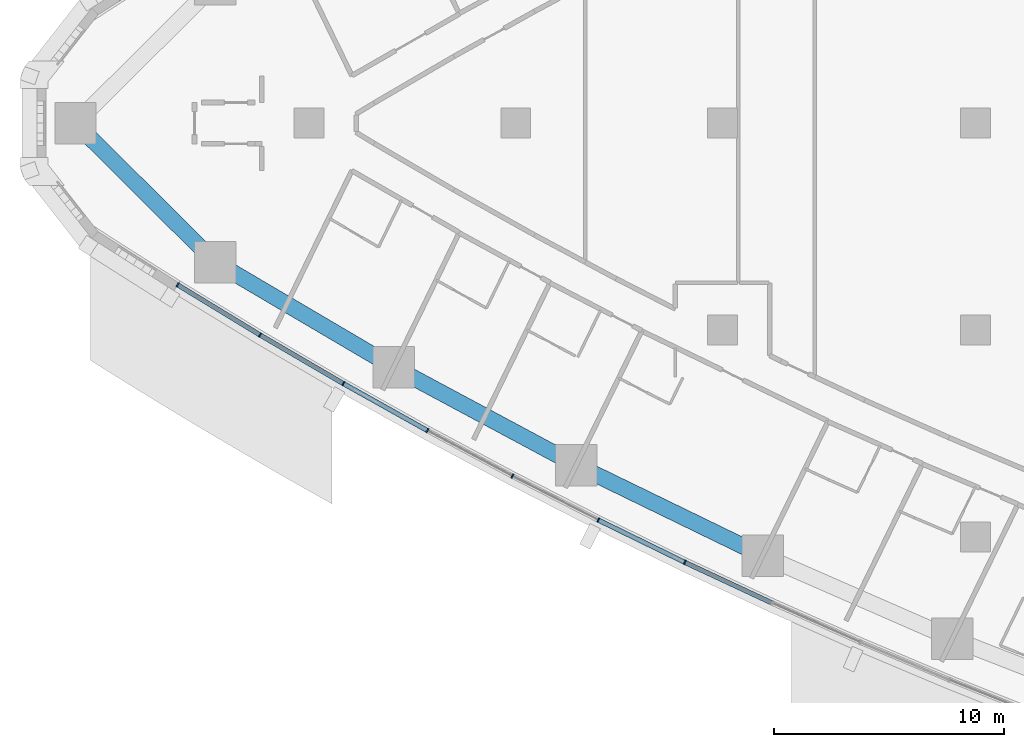
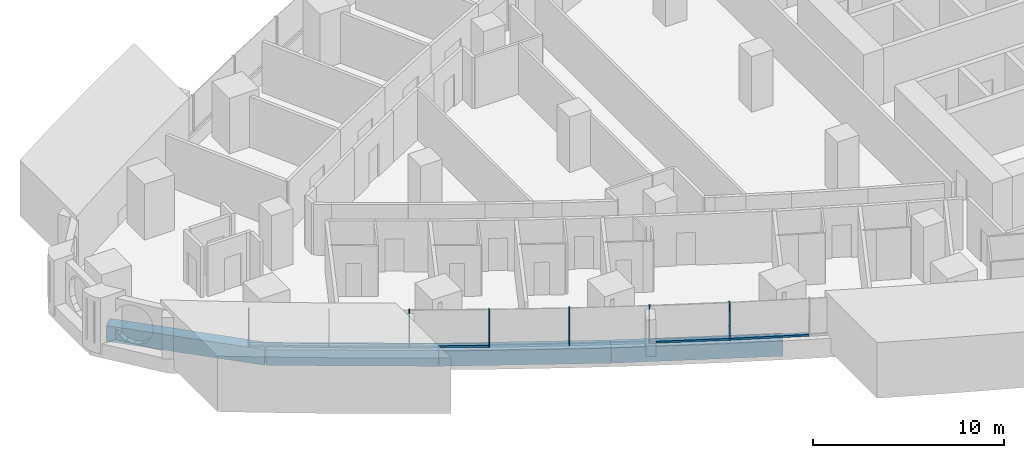
# One storey, part 2 of 19: 12 members, 4 beams, 3 elements without a shape of their own.
"""IFC4 building model written with IfcOpenShell, lengths in metres."""

import ifcopenshell
import ifcopenshell.guid

model = None  # the IFC model being written
_history = None  # IfcOwnerHistory: only IFC2X3 demands one
_inside = {}  # id of a spatial element -> (the spatial element, [elements in it])
_under = {}  # id of a project, library or spatial element -> (it, [spatial elements below it])
_declared = {}  # id of a project -> (the project, [libraries it declares])
_typed = {}  # id of a type object -> (the type object, [elements of that type])
_made_of = {}  # id of a material, layer set ... -> (it, [elements and type objects made of it])


def new_model(schema):
    """Start an empty IFC model of exactly this schema.

    Asked for "IFC4X3", IfcOpenShell would pick the latest addendum, in which some entities
    have other attributes; the version numbers below select the first issue.
    IFC2X3 requires an IfcOwnerHistory on every rooted entity: one is made here for all.
    """
    global model, _history
    if schema == "IFC4X3":
        model = ifcopenshell.file(schema_version=(4, 3, 0, 0))
    else:
        model = ifcopenshell.file(schema=schema)
    _inside.clear()
    _under.clear()
    _declared.clear()
    _typed.clear()
    _made_of.clear()
    _history = None
    if model.schema == "IFC2X3":
        org = make("IfcOrganization", Name="unknown")
        user = make(
            "IfcPersonAndOrganization",
            ThePerson=make("IfcPerson", FamilyName="unknown"),
            TheOrganization=org,
        )
        app = make(
            "IfcApplication",
            ApplicationDeveloper=org,
            Version="unknown",
            ApplicationFullName="unknown",
            ApplicationIdentifier="unknown",
        )
        _history = make(
            "IfcOwnerHistory",
            OwningUser=user,
            OwningApplication=app,
            ChangeAction="ADDED",
            CreationDate=0,
        )
    return model


def make(cls, **values):
    """One entity of the class cls with the attributes given. An attribute that is None is left unset."""
    return model.create_entity(
        cls, **{name: value for name, value in values.items() if value is not None}
    )


def rooted(cls, **values):
    """An entity with a GlobalId (a new one), such as an element, a storey or a relation."""
    return make(cls, GlobalId=ifcopenshell.guid.new(), OwnerHistory=_history, **values)


def si_unit(unit_type, name, prefix=None):
    """IfcSIUnit, for example si_unit("LENGTHUNIT", "METRE", prefix="MILLI")."""
    return make("IfcSIUnit", UnitType=unit_type, Prefix=prefix, Name=name)


def assignment(units):
    """IfcUnitAssignment: the units of a project."""
    return None if units is None else make("IfcUnitAssignment", Units=units)


def point(xyz):
    """IfcCartesianPoint."""
    return None if xyz is None else make("IfcCartesianPoint", Coordinates=xyz)


def direction(xyz):
    """IfcDirection."""
    return None if xyz is None else make("IfcDirection", DirectionRatios=xyz)


def frame(location, z_axis=None, x_axis=None):
    """IfcAxis2Placement3D, a coordinate frame: its origin and axes. An axis left out is left unset."""
    return make(
        "IfcAxis2Placement3D",
        Location=point(location),
        Axis=direction(z_axis),
        RefDirection=direction(x_axis),
    )


def frame_2d(location, x_axis=None):
    """IfcAxis2Placement2D, a coordinate frame in the plane: its origin and x axis."""
    return make(
        "IfcAxis2Placement2D", Location=point(location), RefDirection=direction(x_axis)
    )


def origin():
    """The frame at (0, 0, 0) with its axes left unset."""
    return frame((0.0, 0.0, 0.0))


def origin_2d():
    """The frame at (0, 0) in the plane with its x axis left unset."""
    return frame_2d((0.0, 0.0))


def place(relative_to, where):
    """IfcLocalPlacement: puts the frame where relative to a parent placement (None: the world)."""
    return make(
        "IfcLocalPlacement", PlacementRelTo=relative_to, RelativePlacement=where
    )


def context(
    kind, dimensions, precision=None, world=None, true_north=None, identifier=None
):
    """IfcGeometricRepresentationContext, for example the 3D "Model" context."""
    return make(
        "IfcGeometricRepresentationContext",
        ContextIdentifier=identifier,
        ContextType=kind,
        CoordinateSpaceDimension=dimensions,
        Precision=precision,
        WorldCoordinateSystem=world,
        TrueNorth=true_north,
    )


def subcontext(parent, identifier, kind, view, scale=None):
    """IfcGeometricRepresentationSubContext, for example "Body" below "Model"."""
    return make(
        "IfcGeometricRepresentationSubContext",
        ContextIdentifier=identifier,
        ContextType=kind,
        ParentContext=parent,
        TargetScale=scale,
        TargetView=view,
    )


def project(units=None, contexts=None):
    """IfcProject with its units and contexts."""
    return rooted(
        "IfcProject",
        Name="project",
        RepresentationContexts=contexts,
        UnitsInContext=assignment(units),
    )


def spatial(cls, under=None, at=None, **own):
    """A site, building, storey or space (cls), placed at a placement, below another one or the project."""
    s = rooted(cls, ObjectPlacement=at, **own)
    if under is not None:
        _under.setdefault(under.id(), (under, []))[1].append(s)
    return s


def profile(cls, at=None, kind="AREA", **sizes):
    """A parametric profile (cls). Its sizes go by their IFC names, for example OverallWidth=200.0."""
    return make(cls, ProfileType=kind, Position=at, **sizes)


def rectangle(**sizes):
    """IfcRectangleProfileDef."""
    return profile("IfcRectangleProfileDef", **sizes)


def extrude(swept, where, along, depth):
    """IfcExtrudedAreaSolid: the profile swept, set in the frame where, extruded along a direction by depth."""
    return make(
        "IfcExtrudedAreaSolid",
        SweptArea=swept,
        Position=where,
        ExtrudedDirection=direction(along),
        Depth=depth,
    )


def shape(context_of_items, identifier, shape_type, items):
    """IfcShapeRepresentation: the items that make up one representation, for example the "Body"."""
    return make(
        "IfcShapeRepresentation",
        ContextOfItems=context_of_items,
        RepresentationIdentifier=identifier,
        RepresentationType=shape_type,
        Items=items,
    )


def material(Name=None, Category=None):
    """IfcMaterial."""
    return make("IfcMaterial", Name=Name, Category=Category)


def layer(
    of_material, thickness, ventilated=None, Name=None, Category=None, Priority=None
):
    """IfcMaterialLayer: one layer of a wall or slab, of a material (None: an air gap)."""
    return make(
        "IfcMaterialLayer",
        Material=of_material,
        LayerThickness=thickness,
        IsVentilated=ventilated,
        Name=Name,
        Category=Category,
        Priority=Priority,
    )


def layer_set(layers, Name=None):
    """IfcMaterialLayerSet."""
    return make("IfcMaterialLayerSet", MaterialLayers=layers, LayerSetName=Name)


def material_profile(
    of_material, cross_section, Name=None, Category=None, Priority=None
):
    """IfcMaterialProfile: a cross section and its material."""
    return make(
        "IfcMaterialProfile",
        Name=Name,
        Material=of_material,
        Profile=cross_section,
        Priority=Priority,
        Category=Category,
    )


def profile_set(profiles, Name=None, composite=None):
    """IfcMaterialProfileSet."""
    return make(
        "IfcMaterialProfileSet",
        Name=Name,
        MaterialProfiles=profiles,
        CompositeProfile=composite,
    )


def made_of(thing, what):
    """Note that an element or type object is made of a material, layer set ...; save() writes the relation."""
    if what is not None:
        _made_of.setdefault(what.id(), (what, []))[1].append(thing)
    return thing


def type_object(cls, material=None, **own):
    """A type object (cls), such as IfcWallType, which elements share."""
    return made_of(rooted(cls, **own), material)


def element(
    cls,
    number,
    at=None,
    inside=None,
    cuts=None,
    type_object=None,
    material=None,
    context=None,
    identifier="Body",
    shape_type=None,
    held_by="IfcProductDefinitionShape",
    body=None,
    shapes=None,
    **own,
):
    """One element of the class cls, such as IfcWall. Its Tag is "e" and its number.

    at: its placement. inside: the storey or other place that contains it. cuts: it is an
    opening in that element (IfcRelVoidsElement). A single representation is given by context,
    identifier, shape_type and body (its items); several are given by shapes. held_by: the class
    of the entity that holds the representations. save() writes the other relations.
    """
    e = rooted(cls, Tag="e%d" % number, ObjectPlacement=at, **own)
    if body is not None:
        shapes = [shape(context, identifier, shape_type, body)]
    if shapes is not None:
        e.Representation = make(held_by, Representations=shapes)
    if inside is not None:
        _inside.setdefault(inside.id(), (inside, []))[1].append(e)
    if cuts is not None:
        rooted(
            "IfcRelVoidsElement", RelatingBuildingElement=cuts, RelatedOpeningElement=e
        )
    if type_object is not None:
        _typed.setdefault(type_object.id(), (type_object, []))[1].append(e)
    return made_of(e, material)


def aggregate(whole, parts):
    """IfcRelAggregates: a whole, such as a stair, and the parts it consists of."""
    return rooted("IfcRelAggregates", RelatingObject=whole, RelatedObjects=parts)


def save(model, path):
    """Write the relations noted so far, then the file.

    IfcRelAggregates (storeys below a building ...), IfcRelContainedInSpatialStructure (elements
    in a storey), IfcRelDefinesByType, IfcRelAssociatesMaterial and IfcRelDeclares: one each for
    every whole, place, type object, material and project.
    """
    for whole, parts in _under.values():
        aggregate(whole, parts)
    for where, things in _inside.values():
        rooted(
            "IfcRelContainedInSpatialStructure",
            RelatedElements=things,
            RelatingStructure=where,
        )
    for kind, things in _typed.values():
        rooted("IfcRelDefinesByType", RelatedObjects=things, RelatingType=kind)
    for what, things in _made_of.values():
        rooted("IfcRelAssociatesMaterial", RelatedObjects=things, RelatingMaterial=what)
    for by, libraries in _declared.values():
        rooted("IfcRelDeclares", RelatingContext=by, RelatedDefinitions=libraries)
    model.write(path)


model = new_model("IFC4")

# Units and contexts
model_context = context("Model", 3, precision=1e-05, world=origin(), true_north=direction((0.0, 1.0)))
body_context = subcontext(model_context, "Body", "Model", "MODEL_VIEW")
ifc_project = project(units=[si_unit("LENGTHUNIT", "METRE"), si_unit("AREAUNIT", "SQUARE_METRE"), si_unit("VOLUMEUNIT", "CUBIC_METRE"), si_unit("PLANEANGLEUNIT", "RADIAN"), si_unit("MASSUNIT", "GRAM", prefix="KILO")], contexts=[model_context])

# Site, building, storey
site_placement = place(None, origin())
site = spatial("IfcSite", under=ifc_project, at=site_placement, CompositionType="ELEMENT")
building_placement = place(site_placement, origin())
building = spatial("IfcBuilding", under=site, at=building_placement, Name="Ostrand Prow Hotel Tower", CompositionType="ELEMENT")
storey_placement = place(building_placement, frame((0.0, 0.0, 46.699951171875)))
storey = spatial("IfcBuildingStorey", under=building, at=storey_placement, Name="L09", CompositionType="ELEMENT", Elevation=46.699951171875)

# Beams
ifc_material_1 = material(Name="Concrete C80/95", Category="concrete")
ifc_material_profile_1 = material_profile(ifc_material_1, rectangle(XDim=0.699951171875, YDim=1.0, at=origin_2d()), Name="RC 700x1000")
ifc_profile_set_1 = profile_set([ifc_material_profile_1], Name="Concrete C80/95")
beam_type = type_object("IfcBeamType", Name="Edge beam 700x1000 C80/95", PredefinedType="SPANDREL", material=ifc_profile_set_1)
beam_1_placement = place(storey_placement, frame((5.848388671875, 0.0, -0.800048828125), z_axis=(0.709211674915, -0.70499560294, 0.0), x_axis=(0.70499560294, 0.709211674915, 0.0)))
element("IfcBeam", 1, at=beam_1_placement, inside=storey, type_object=beam_type, Name="Edge beam P-S1", PredefinedType="SPANDREL", context=body_context, shape_type="SweptSolid", body=[
    extrude(rectangle(XDim=0.699951171875, YDim=1.0, at=origin_2d()), origin(), (0.0, 0.0, 1.0), 8.5703125),
])
beam_2_placement = place(storey_placement, frame((11.926513671875, -6.0419921875, -0.800048828125), z_axis=(0.861725230108, -0.507375233722, 0.0), x_axis=(0.507375233722, 0.861725230108, 0.0)))
element("IfcBeam", 2, at=beam_2_placement, inside=storey, type_object=beam_type, Name="Edge beam S1-S2", PredefinedType="SPANDREL", context=body_context, shape_type="SweptSolid", body=[
    extrude(rectangle(XDim=0.699951171875, YDim=1.0, at=origin_2d()), origin(), (0.0, 0.0, 1.0), 9.012451171875),
])
beam_3_placement = place(storey_placement, frame((19.69287109375, -10.61474609375, -0.800048828125), z_axis=(0.881270074696, -0.472613008122, 0.0), x_axis=(0.472613008122, 0.881270074696, 0.0)))
element("IfcBeam", 3, at=beam_3_placement, inside=storey, type_object=beam_type, Name="Edge beam S2-S3", PredefinedType="SPANDREL", context=body_context, shape_type="SweptSolid", body=[
    extrude(rectangle(XDim=0.699951171875, YDim=1.0, at=origin_2d()), origin(), (0.0, 0.0, 1.0), 9.0126953125),
])
beam_4_placement = place(storey_placement, frame((27.635498046875, -14.874267578125, -0.800048828125), z_axis=(0.899382499202, -0.437162578601, 0.0), x_axis=(0.437162578601, 0.899382499202, 0.0)))
element("IfcBeam", 4, at=beam_4_placement, inside=storey, type_object=beam_type, Name="Edge beam S3-S4", PredefinedType="SPANDREL", context=body_context, shape_type="SweptSolid", body=[
    extrude(rectangle(XDim=0.699951171875, YDim=1.0, at=origin_2d()), origin(), (0.0, 0.0, 1.0), 9.012451171875),
])

# Curtain wall, members
ifc_material_2 = material(Name="Insulated glass in bronze anodised frame", Category="glass")
ifc_layer = layer(ifc_material_2, 0.199951171875)
ifc_layer_set = layer_set([ifc_layer], Name="Insulated glass in bronze anodised frame")
curtain_wall_type = type_object("IfcCurtainWallType", Name="Strip curtain wall, fritted glass over bronze spandrel", PredefinedType="NOTDEFINED", material=ifc_layer_set)
curtain_wall_1_placement = place(storey_placement, origin())
curtain_wall_1 = element("IfcCurtainWall", 5, at=curtain_wall_1_placement, inside=storey, type_object=curtain_wall_type, Name="CW1 run CWS1", PredefinedType="NOTDEFINED")
ifc_material_3 = material(Name="Bronze anodised aluminium", Category="aluminium")
ifc_material_profile_2 = material_profile(ifc_material_3, rectangle(XDim=0.199951171875, YDim=0.06005859375, at=origin_2d()), Name="Mullion 60x200 bronze anodised aluminium")
ifc_profile_set_2 = profile_set([ifc_material_profile_2], Name="Bronze anodised aluminium")
member_type_1 = type_object("IfcMemberType", Name="Mullion 60x200 bronze anodised aluminium", PredefinedType="MULLION", material=ifc_profile_set_2)
member_1_placement = place(storey_placement, frame((10.29443359375, -7.031494140625, 0.900146484375), z_axis=(0.0, 0.0, 1.0), x_axis=(0.519830761515, 0.854269266322, 0.0)))
member_1 = element("IfcMember", 6, at=member_1_placement, type_object=member_type_1, Name="CW1 mullion 1", PredefinedType="MULLION", context=body_context, shape_type="SweptSolid", body=[
    extrude(rectangle(XDim=0.199951171875, YDim=0.06005859375, at=origin_2d()), origin(), (0.0, 0.0, 1.0), 2.349853515625),
])
member_2_placement = place(storey_placement, frame((13.87744140625, -9.2119140625, 0.900146484375), z_axis=(0.0, 0.0, 1.0), x_axis=(0.50402272292, 0.863690392896, 0.0)))
member_2 = element("IfcMember", 7, at=member_2_placement, type_object=member_type_1, Name="CW1 mullion 2", PredefinedType="MULLION", context=body_context, shape_type="SweptSolid", body=[
    extrude(rectangle(XDim=0.199951171875, YDim=0.06005859375, at=origin_2d()), origin(), (0.0, 0.0, 1.0), 2.349853515625),
])
member_3_placement = place(storey_placement, frame((17.5, -11.325927734375, 0.900146484375), z_axis=(0.0, 0.0, 1.0), x_axis=(0.50402272292, 0.863690392896, 0.0)))
member_3 = element("IfcMember", 8, at=member_3_placement, type_object=member_type_1, Name="CW1 mullion 3", PredefinedType="MULLION", context=body_context, shape_type="SweptSolid", body=[
    extrude(rectangle(XDim=0.199951171875, YDim=0.06005859375, at=origin_2d()), origin(), (0.0, 0.0, 1.0), 2.349853515625),
])

curtain_wall_2_placement = place(storey_placement, origin())
curtain_wall_2 = element("IfcCurtainWall", 9, at=curtain_wall_2_placement, inside=storey, type_object=curtain_wall_type, Name="CW1 run CWS2", PredefinedType="NOTDEFINED")
member_4_placement = place(storey_placement, frame((21.160888671875, -13.372802734375, 0.900146484375), z_axis=(0.0, 0.0, 1.0), x_axis=(0.471899992481, 0.881652083929, 0.0)))
member_4 = element("IfcMember", 10, at=member_4_placement, type_object=member_type_1, Name="CW1 mullion 2", PredefinedType="MULLION", context=body_context, shape_type="SweptSolid", body=[
    extrude(rectangle(XDim=0.199951171875, YDim=0.06005859375, at=origin_2d()), origin(), (0.0, 0.0, 1.0), 2.349853515625),
])
member_5_placement = place(storey_placement, frame((24.858642578125, -15.35205078125, 0.900146484375), z_axis=(0.0, 0.0, 1.0), x_axis=(0.455596179055, 0.890186565631, 0.0)))
member_5 = element("IfcMember", 11, at=member_5_placement, type_object=member_type_1, Name="CW1 mullion 3", PredefinedType="MULLION", context=body_context, shape_type="SweptSolid", body=[
    extrude(rectangle(XDim=0.199951171875, YDim=0.06005859375, at=origin_2d()), origin(), (0.0, 0.0, 1.0), 2.349853515625),
])
member_6_placement = place(storey_placement, frame((28.59228515625, -17.262939453125, 0.900146484375), z_axis=(0.0, 0.0, 1.0), x_axis=(0.455596179055, 0.890186565631, 0.0)))
member_6 = element("IfcMember", 12, at=member_6_placement, type_object=member_type_1, Name="CW1 mullion 4", PredefinedType="MULLION", context=body_context, shape_type="SweptSolid", body=[
    extrude(rectangle(XDim=0.199951171875, YDim=0.06005859375, at=origin_2d()), origin(), (0.0, 0.0, 1.0), 2.349853515625),
])

# Curtain wall, member
curtain_wall_3_placement = place(storey_placement, origin())
curtain_wall_3 = element("IfcCurtainWall", 13, at=curtain_wall_3_placement, inside=storey, type_object=curtain_wall_type, Name="CW1 run CWS3", PredefinedType="NOTDEFINED")
member_7_placement = place(storey_placement, frame((32.360595703125, -19.10498046875, 0.900146484375), z_axis=(0.0, 0.0, 1.0), x_axis=(0.422529678615, 0.906349088757, 0.0)))
member_7 = element("IfcMember", 14, at=member_7_placement, type_object=member_type_1, Name="CW1 mullion 2", PredefinedType="MULLION", context=body_context, shape_type="SweptSolid", body=[
    extrude(rectangle(XDim=0.199951171875, YDim=0.06005859375, at=origin_2d()), origin(), (0.0, 0.0, 1.0), 2.349853515625),
])

# Member
ifc_material_4 = material(Name="Bronze anodised aluminium", Category="aluminium")
ifc_material_profile_3 = material_profile(ifc_material_4, rectangle(XDim=0.199951171875, YDim=0.1201171875, at=origin_2d()), Name="Transom 120x200 bronze anodised aluminium")
ifc_profile_set_3 = profile_set([ifc_material_profile_3], Name="Bronze anodised aluminium")
member_type_2 = type_object("IfcMemberType", Name="Transom 120x200 bronze anodised aluminium", PredefinedType="USERDEFINED", material=ifc_profile_set_3)
member_8_placement = place(storey_placement, frame((10.320068359375, -7.047119140625, 0.9599609375), z_axis=(0.8542612678, -0.519843905741, 0.0), x_axis=(0.519843905741, 0.8542612678, 0.0)))
member_8 = element("IfcMember", 15, at=member_8_placement, type_object=member_type_2, Name="CW1 transom 1.1", ObjectType="TRANSOM", PredefinedType="USERDEFINED", context=body_context, shape_type="SweptSolid", body=[
    extrude(rectangle(XDim=0.199951171875, YDim=0.1201171875, at=origin_2d()), origin(), (0.0, 0.0, 1.0), 4.13427734375),
])

member_9_placement = place(storey_placement, frame((13.9033203125, -9.22705078125, 0.9599609375), z_axis=(0.863697501622, -0.504010541251, 0.0), x_axis=(0.504010541251, 0.863697501622, 0.0)))
member_9 = element("IfcMember", 16, at=member_9_placement, type_object=member_type_2, Name="CW1 transom 2.1", ObjectType="TRANSOM", PredefinedType="USERDEFINED", context=body_context, shape_type="SweptSolid", body=[
    extrude(rectangle(XDim=0.199951171875, YDim=0.1201171875, at=origin_2d()), origin(), (0.0, 0.0, 1.0), 4.13427734375),
])

aggregate(curtain_wall_1, [member_1, member_2, member_3, member_8, member_9])

member_10_placement = place(storey_placement, frame((17.526123046875, -11.340576171875, 0.9599609375), z_axis=(0.872842137405, -0.488002667175, 0.0), x_axis=(0.488002667175, 0.872842137405, 0.0)))
member_10 = element("IfcMember", 17, at=member_10_placement, type_object=member_type_2, Name="CW1 transom 1.1", ObjectType="TRANSOM", PredefinedType="USERDEFINED", context=body_context, shape_type="SweptSolid", body=[
    extrude(rectangle(XDim=0.199951171875, YDim=0.1201171875, at=origin_2d()), origin(), (0.0, 0.0, 1.0), 4.13427734375),
])

aggregate(curtain_wall_2, [member_4, member_5, member_6, member_10])

member_11_placement = place(storey_placement, frame((28.619384765625, -17.276123046875, 0.9599609375), z_axis=(0.898395234758, -0.439187889364, 0.0), x_axis=(0.439187889364, 0.898395234758, 0.0)))
member_11 = element("IfcMember", 18, at=member_11_placement, type_object=member_type_2, Name="CW1 transom 1.1", ObjectType="TRANSOM", PredefinedType="USERDEFINED", context=body_context, shape_type="SweptSolid", body=[
    extrude(rectangle(XDim=0.199951171875, YDim=0.1201171875, at=origin_2d()), origin(), (0.0, 0.0, 1.0), 4.13427734375),
])

member_12_placement = place(storey_placement, frame((32.3876953125, -19.117431640625, 0.9599609375), z_axis=(0.906338458793, -0.422552479714, 0.0), x_axis=(0.422552479714, 0.906338458793, 0.0)))
member_12 = element("IfcMember", 19, at=member_12_placement, type_object=member_type_2, Name="CW1 transom 2.1", ObjectType="TRANSOM", PredefinedType="USERDEFINED", context=body_context, shape_type="SweptSolid", body=[
    extrude(rectangle(XDim=0.199951171875, YDim=0.1201171875, at=origin_2d()), origin(), (0.0, 0.0, 1.0), 4.134521484375),
])

aggregate(curtain_wall_3, [member_7, member_11, member_12])

save(model, "model.ifc")
